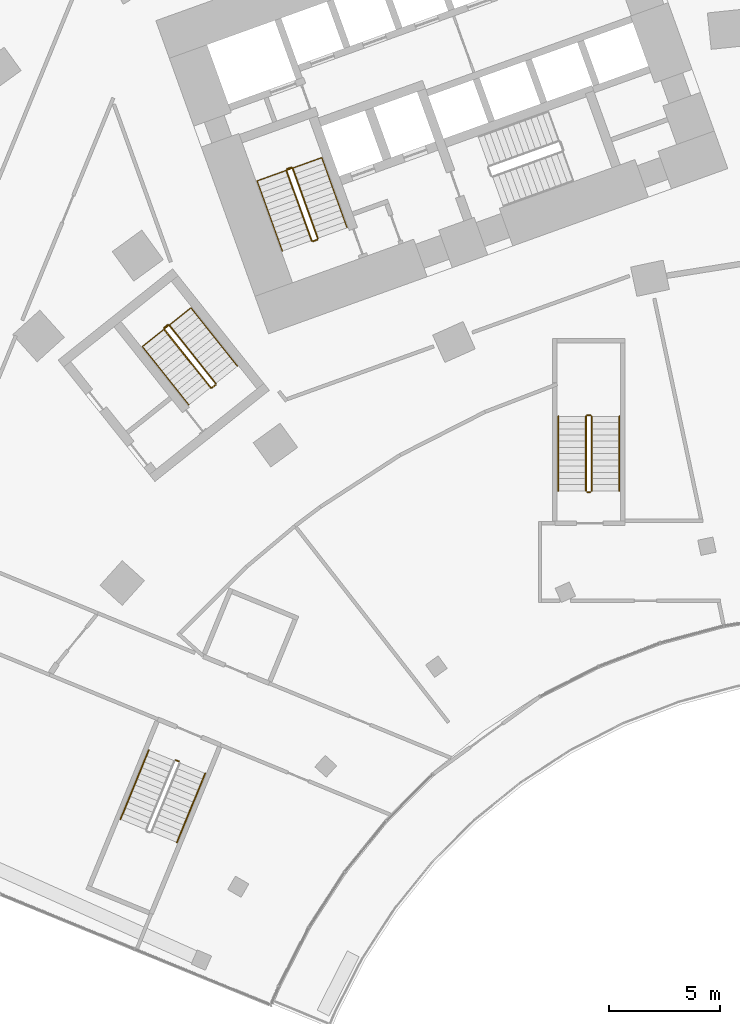
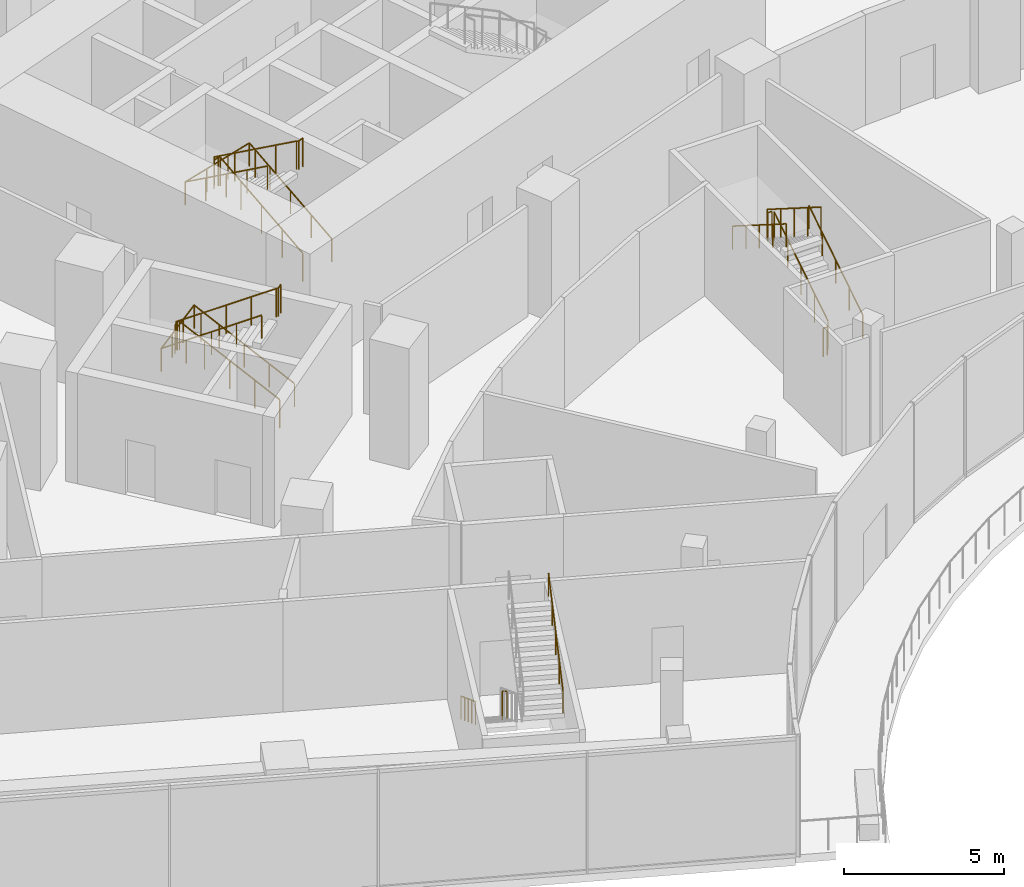
# One storey, part 33 of 39: 15 railings.
"""IFC4 building model written with IfcOpenShell, lengths in metres."""

from ifc_helpers import new_model, si_unit, direction, frame, origin, origin_2d, place, context, subcontext, project, spatial, circle, extrude, material, type_object, element, save


model = new_model("IFC4")

# Units and contexts
model_context = context("Model", 3, precision=1e-05, world=origin(), true_north=direction((0.0, 1.0)))
body_context = subcontext(model_context, "Body", "Model", "MODEL_VIEW")
ifc_project = project(units=[si_unit("LENGTHUNIT", "METRE"), si_unit("AREAUNIT", "SQUARE_METRE"), si_unit("VOLUMEUNIT", "CUBIC_METRE"), si_unit("PLANEANGLEUNIT", "RADIAN"), si_unit("MASSUNIT", "GRAM", prefix="KILO")], contexts=[model_context])

# Site, building, storey
site_placement = place(None, origin())
site = spatial("IfcSite", under=ifc_project, at=site_placement, CompositionType="ELEMENT")
building_placement = place(site_placement, origin())
building = spatial("IfcBuilding", under=site, at=building_placement, Name="Stone Belt Terrace Tower", CompositionType="ELEMENT")
storey_placement = place(building_placement, frame((0.0, 0.0, 20.800048828125)))
storey = spatial("IfcBuildingStorey", under=building, at=storey_placement, Name="L04", CompositionType="ELEMENT", Elevation=20.800048828125)

# Railings
ifc_material_1 = material(Name="Steel balustrade", Category="steel")
railing_type_1 = type_object("IfcRailingType", Name="Podium stair guard", PredefinedType="GUARDRAIL", material=ifc_material_1)
railing_1_placement = place(storey_placement, frame((-30.611572265625, 21.75439453125, 0.0)))
element("IfcRailing", 1, at=railing_1_placement, inside=storey, type_object=railing_type_1, Name="L04 PS1 stair guard 4", PredefinedType="GUARDRAIL", context=body_context, shape_type="SweptSolid", body=[
    extrude(circle(Radius=0.02392578125, at=origin_2d()), frame((0.0, 0.0, 1.076171875), z_axis=(0.925183283695, -0.379520607572, 0.0), x_axis=(0.379520607572, 0.925183283695, 0.0)), (0.0, 0.0, 1.0), 0.14990234375),
    extrude(circle(Radius=0.02099609375, at=origin_2d()), origin(), (0.0, 0.0, 1.0), 1.052001953125),
    extrude(circle(Radius=0.02099609375, at=origin_2d()), frame((0.138671875, -0.056884765625, 0.0)), (0.0, 0.0, 1.0), 1.052001953125),
])
railing_2_placement = place(storey_placement, frame((-11.875, 33.889892578125, 0.1767578125)))
element("IfcRailing", 2, at=railing_2_placement, inside=storey, type_object=railing_type_1, Name="L04 PS5 stair guard 1", PredefinedType="GUARDRAIL", context=body_context, shape_type="SweptSolid", body=[
    extrude(circle(Radius=0.02392578125, at=origin_2d()), frame((0.0, 0.0, 1.076171875), z_axis=(0.0, 0.845361898145, 0.534194029511), x_axis=(-1.0, 0.0, 0.0)), (0.0, 0.0, 1.0), 3.974853515625),
    extrude(circle(Radius=0.02099609375, at=origin_2d()), origin(), (0.0, 0.0, 1.0), 1.052001953125),
    extrude(circle(Radius=0.02099609375, at=origin_2d()), frame((0.0, 0.840087890625, 0.53076171875)), (0.0, 0.0, 1.0), 1.052001953125),
    extrude(circle(Radius=0.02099609375, at=origin_2d()), frame((0.0, 1.68017578125, 1.0615234375)), (0.0, 0.0, 1.0), 1.052001953125),
    extrude(circle(Radius=0.02099609375, at=origin_2d()), frame((0.0, 2.52001953125, 1.592529296875)), (0.0, 0.0, 1.0), 1.052001953125),
    extrude(circle(Radius=0.02099609375, at=origin_2d()), frame((0.0, 3.360107421875, 2.123291015625)), (0.0, 0.0, 1.0), 1.052001953125),
])
railing_3_placement = place(storey_placement, frame((-11.925048828125, 37.300048828125, 2.300048828125)))
element("IfcRailing", 3, at=railing_3_placement, inside=storey, type_object=railing_type_1, Name="L04 PS5 stair guard 2", PredefinedType="GUARDRAIL", context=body_context, shape_type="SweptSolid", body=[
    extrude(circle(Radius=0.02392578125, at=origin_2d()), frame((0.0, 0.0, 1.076171875), z_axis=(-1.0, 0.0, 0.0), x_axis=(0.0, -1.0, 0.0)), (0.0, 0.0, 1.0), 0.14990234375),
    extrude(circle(Radius=0.02099609375, at=origin_2d()), origin(), (0.0, 0.0, 1.0), 1.052001953125),
    extrude(circle(Radius=0.02099609375, at=origin_2d()), frame((-0.14990234375, 0.0, 0.0)), (0.0, 0.0, 1.0), 1.052001953125),
])
railing_4_placement = place(storey_placement, frame((-12.125, 37.25, 2.476806640625)))
element("IfcRailing", 4, at=railing_4_placement, inside=storey, type_object=railing_type_1, Name="L04 PS5 stair guard 3", PredefinedType="GUARDRAIL", context=body_context, shape_type="SweptSolid", body=[
    extrude(circle(Radius=0.02392578125, at=origin_2d()), frame((0.0, 0.0, 1.076171875), z_axis=(0.0, -0.845389635667, 0.534150132366), x_axis=(1.0, 0.0, 0.0)), (0.0, 0.0, 1.0), 3.974609375),
    extrude(circle(Radius=0.02099609375, at=origin_2d()), origin(), (0.0, 0.0, 1.0), 1.052001953125),
    extrude(circle(Radius=0.02099609375, at=origin_2d()), frame((0.0, -0.840087890625, 0.53076171875)), (0.0, 0.0, 1.0), 1.052001953125),
    extrude(circle(Radius=0.02099609375, at=origin_2d()), frame((0.0, -1.68017578125, 1.0615234375)), (0.0, 0.0, 1.0), 1.052001953125),
    extrude(circle(Radius=0.02099609375, at=origin_2d()), frame((0.0, -2.52001953125, 1.59228515625)), (0.0, 0.0, 1.0), 1.052001953125),
    extrude(circle(Radius=0.02099609375, at=origin_2d()), frame((0.0, -3.360107421875, 2.123046875)), (0.0, 0.0, 1.0), 1.052001953125),
])
railing_5_placement = place(storey_placement, frame((-11.925048828125, 33.840087890625, 0.0)))
element("IfcRailing", 5, at=railing_5_placement, inside=storey, type_object=railing_type_1, Name="L04 PS5 stair guard 4", PredefinedType="GUARDRAIL", context=body_context, shape_type="SweptSolid", body=[
    extrude(circle(Radius=0.02392578125, at=origin_2d()), frame((0.0, 0.0, 1.076171875), z_axis=(-1.0, 0.0, 0.0), x_axis=(0.0, -1.0, 0.0)), (0.0, 0.0, 1.0), 0.14990234375),
    extrude(circle(Radius=0.02099609375, at=origin_2d()), origin(), (0.0, 0.0, 1.0), 1.052001953125),
    extrude(circle(Radius=0.02099609375, at=origin_2d()), frame((-0.14990234375, 0.0, 0.0)), (0.0, 0.0, 1.0), 1.052001953125),
])
ifc_material_2 = material(Name="Stainless steel handrail", Category="steel")
railing_type_2 = type_object("IfcRailingType", Name="Podium stair handrail", PredefinedType="HANDRAIL", material=ifc_material_2)
railing_6_placement = place(storey_placement, frame((-31.83349609375, 22.201171875, 0.1767578125)))
element("IfcRailing", 6, at=railing_6_placement, inside=storey, type_object=railing_type_2, Name="L04 PS1 stair handrail 1", PredefinedType="HANDRAIL", context=body_context, shape_type="SweptSolid", body=[
    extrude(circle(Radius=0.02392578125, at=origin_2d()), frame((0.0, 0.0, 0.8759765625), z_axis=(-0.320566755084, -0.782222193141, 0.534196027777), x_axis=(0.92531182595, -0.379207100089, 0.0)), (0.0, 0.0, 1.0), 3.974853515625),
    extrude(circle(Radius=0.02099609375, at=origin_2d()), origin(), (0.0, 0.0, 1.0), 0.851806640625),
    extrude(circle(Radius=0.02099609375, at=origin_2d()), frame((-0.318603515625, -0.77734375, 0.53076171875)), (0.0, 0.0, 1.0), 0.851806640625),
    extrude(circle(Radius=0.02099609375, at=origin_2d()), frame((-0.63720703125, -1.5546875, 1.0615234375)), (0.0, 0.0, 1.0), 0.851806640625),
    extrude(circle(Radius=0.02099609375, at=origin_2d()), frame((-0.95556640625, -2.331787109375, 1.592529296875)), (0.0, 0.0, 1.0), 0.851806640625),
    extrude(circle(Radius=0.02099609375, at=origin_2d()), frame((-1.274169921875, -3.109130859375, 2.123291015625)), (0.0, 0.0, 1.0), 0.851806640625),
])
railing_7_placement = place(storey_placement, frame((-30.563232421875, 18.049072265625, 2.476806640625)))
element("IfcRailing", 7, at=railing_7_placement, inside=storey, type_object=railing_type_2, Name="L04 PS1 stair handrail 2", PredefinedType="HANDRAIL", context=body_context, shape_type="SweptSolid", body=[
    extrude(circle(Radius=0.02392578125, at=origin_2d()), frame((0.0, 0.0, 0.8759765625), z_axis=(0.320632384185, 0.78223245452, 0.534141611661), x_axis=(-0.925286329636, 0.379269308261, 0.0)), (0.0, 0.0, 1.0), 3.974609375),
    extrude(circle(Radius=0.02099609375, at=origin_2d()), origin(), (0.0, 0.0, 1.0), 0.851806640625),
    extrude(circle(Radius=0.02099609375, at=origin_2d()), frame((0.318603515625, 0.77734375, 0.53076171875)), (0.0, 0.0, 1.0), 0.851806640625),
    extrude(circle(Radius=0.02099609375, at=origin_2d()), frame((0.63720703125, 1.5546875, 1.0615234375)), (0.0, 0.0, 1.0), 0.851806640625),
    extrude(circle(Radius=0.02099609375, at=origin_2d()), frame((0.955810546875, 2.331787109375, 1.59228515625)), (0.0, 0.0, 1.0), 0.851806640625),
    extrude(circle(Radius=0.02099609375, at=origin_2d()), frame((1.2744140625, 3.109130859375, 2.123046875)), (0.0, 0.0, 1.0), 0.851806640625),
])
railing_8_placement = place(storey_placement, frame((-10.625, 33.889892578125, 0.1767578125)))
element("IfcRailing", 8, at=railing_8_placement, inside=storey, type_object=railing_type_2, Name="L04 PS5 stair handrail 1", PredefinedType="HANDRAIL", context=body_context, shape_type="SweptSolid", body=[
    extrude(circle(Radius=0.02392578125, at=origin_2d()), frame((0.0, 0.0, 0.8759765625), z_axis=(0.0, 0.845361898145, 0.534194029511), x_axis=(-1.0, 0.0, 0.0)), (0.0, 0.0, 1.0), 3.974853515625),
    extrude(circle(Radius=0.02099609375, at=origin_2d()), origin(), (0.0, 0.0, 1.0), 0.851806640625),
    extrude(circle(Radius=0.02099609375, at=origin_2d()), frame((0.0, 0.840087890625, 0.53076171875)), (0.0, 0.0, 1.0), 0.851806640625),
    extrude(circle(Radius=0.02099609375, at=origin_2d()), frame((0.0, 1.68017578125, 1.0615234375)), (0.0, 0.0, 1.0), 0.851806640625),
    extrude(circle(Radius=0.02099609375, at=origin_2d()), frame((0.0, 2.52001953125, 1.592529296875)), (0.0, 0.0, 1.0), 0.851806640625),
    extrude(circle(Radius=0.02099609375, at=origin_2d()), frame((0.0, 3.360107421875, 2.123291015625)), (0.0, 0.0, 1.0), 0.851806640625),
])
railing_9_placement = place(storey_placement, frame((-13.375, 37.25, 2.476806640625)))
element("IfcRailing", 9, at=railing_9_placement, inside=storey, type_object=railing_type_2, Name="L04 PS5 stair handrail 2", PredefinedType="HANDRAIL", context=body_context, shape_type="SweptSolid", body=[
    extrude(circle(Radius=0.02392578125, at=origin_2d()), frame((0.0, 0.0, 0.8759765625), z_axis=(0.0, -0.845389635667, 0.534150132366), x_axis=(1.0, 0.0, 0.0)), (0.0, 0.0, 1.0), 3.974609375),
    extrude(circle(Radius=0.02099609375, at=origin_2d()), origin(), (0.0, 0.0, 1.0), 0.851806640625),
    extrude(circle(Radius=0.02099609375, at=origin_2d()), frame((0.0, -0.840087890625, 0.53076171875)), (0.0, 0.0, 1.0), 0.851806640625),
    extrude(circle(Radius=0.02099609375, at=origin_2d()), frame((0.0, -1.68017578125, 1.0615234375)), (0.0, 0.0, 1.0), 0.851806640625),
    extrude(circle(Radius=0.02099609375, at=origin_2d()), frame((0.0, -2.52001953125, 1.59228515625)), (0.0, 0.0, 1.0), 0.851806640625),
    extrude(circle(Radius=0.02099609375, at=origin_2d()), frame((0.0, -3.360107421875, 2.123046875)), (0.0, 0.0, 1.0), 0.851806640625),
])
ifc_material_3 = material(Name="Structural steel C345", Category="steel")
railing_type_3 = type_object("IfcRailingType", Name="Stair guard 1100", PredefinedType="GUARDRAIL", material=ifc_material_3)
railing_10_placement = place(storey_placement, frame((-24.2119140625, 45.276123046875, 0.1767578125)))
element("IfcRailing", 10, at=railing_10_placement, inside=storey, type_object=railing_type_3, Name="L04 ST1A stair guard 1", PredefinedType="GUARDRAIL", context=body_context, shape_type="SweptSolid", body=[
    extrude(circle(Radius=0.02392578125, at=origin_2d()), frame((0.0, 0.0, 1.076171875), z_axis=(-0.286301708457, 0.795391723409, 0.53421282095), x_axis=(-0.940902231577, -0.338678299589, 0.0)), (0.0, 0.0, 1.0), 3.974609375),
    extrude(circle(Radius=0.02392578125, at=origin_2d()), frame((-1.137939453125, 3.161376953125, 3.19921875), z_axis=(-0.903878284585, 0.427789722475, 0.0), x_axis=(-0.427789722475, -0.903878284585, 0.0)), (0.0, 0.0, 1.0), 0.07080078125),
    extrude(circle(Radius=0.02392578125, at=origin_2d()), frame((-1.201904296875, 3.191650390625, 3.19921875), z_axis=(-0.940575576748, -0.339584429008, 0.0), x_axis=(0.339584429008, -0.940575576748, 0.0)), (0.0, 0.0, 1.0), 0.199951171875),
    extrude(circle(Radius=0.02099609375, at=origin_2d()), origin(), (0.0, 0.0, 1.0), 1.052001953125),
    extrude(circle(Radius=0.02099609375, at=origin_2d()), frame((-0.284423828125, 0.790283203125, 0.53076171875)), (0.0, 0.0, 1.0), 1.052001953125),
    extrude(circle(Radius=0.02099609375, at=origin_2d()), frame((-0.56884765625, 1.58056640625, 1.0615234375)), (0.0, 0.0, 1.0), 1.052001953125),
    extrude(circle(Radius=0.02099609375, at=origin_2d()), frame((-0.853515625, 2.37109375, 1.592529296875)), (0.0, 0.0, 1.0), 1.052001953125),
    extrude(circle(Radius=0.02099609375, at=origin_2d()), frame((-1.137939453125, 3.161376953125, 2.123291015625)), (0.0, 0.0, 1.0), 1.052001953125),
    extrude(circle(Radius=0.02099609375, at=origin_2d()), frame((-1.201904296875, 3.191650390625, 2.123291015625)), (0.0, 0.0, 1.0), 1.052001953125),
    extrude(circle(Radius=0.02099609375, at=origin_2d()), frame((-1.389892578125, 3.123779296875, 2.123291015625)), (0.0, 0.0, 1.0), 1.052001953125),
])
railing_11_placement = place(storey_placement, frame((-25.632080078125, 48.3359375, 2.476806640625)))
element("IfcRailing", 11, at=railing_11_placement, inside=storey, type_object=railing_type_3, Name="L04 ST1A stair guard 2", PredefinedType="GUARDRAIL", context=body_context, shape_type="SweptSolid", body=[
    extrude(circle(Radius=0.02392578125, at=origin_2d()), frame((0.0, 0.0, 1.076171875), z_axis=(0.286311103083, -0.795417823175, 0.534168923494), x_axis=(0.940902231577, 0.338678299589, 0.0)), (0.0, 0.0, 1.0), 3.974365234375),
    extrude(circle(Radius=0.02392578125, at=origin_2d()), frame((1.137939453125, -3.161376953125, 3.19921875), z_axis=(0.903878284585, -0.427789722475, 0.0), x_axis=(0.427789722475, 0.903878284585, 0.0)), (0.0, 0.0, 1.0), 0.07080078125),
    extrude(circle(Radius=0.02392578125, at=origin_2d()), frame((1.201904296875, -3.191650390625, 3.19921875), z_axis=(0.940575576748, 0.339584429008, 0.0), x_axis=(-0.339584429008, 0.940575576748, 0.0)), (0.0, 0.0, 1.0), 0.199951171875),
    extrude(circle(Radius=0.02099609375, at=origin_2d()), origin(), (0.0, 0.0, 1.0), 1.052001953125),
    extrude(circle(Radius=0.02099609375, at=origin_2d()), frame((0.284423828125, -0.790283203125, 0.53076171875)), (0.0, 0.0, 1.0), 1.052001953125),
    extrude(circle(Radius=0.02099609375, at=origin_2d()), frame((0.56884765625, -1.58056640625, 1.0615234375)), (0.0, 0.0, 1.0), 1.052001953125),
    extrude(circle(Radius=0.02099609375, at=origin_2d()), frame((0.853515625, -2.37109375, 1.59228515625)), (0.0, 0.0, 1.0), 1.052001953125),
    extrude(circle(Radius=0.02099609375, at=origin_2d()), frame((1.137939453125, -3.161376953125, 2.123046875)), (0.0, 0.0, 1.0), 1.052001953125),
    extrude(circle(Radius=0.02099609375, at=origin_2d()), frame((1.201904296875, -3.191650390625, 2.123046875)), (0.0, 0.0, 1.0), 1.052001953125),
    extrude(circle(Radius=0.02099609375, at=origin_2d()), frame((1.389892578125, -3.123779296875, 2.123046875)), (0.0, 0.0, 1.0), 1.052001953125),
])
railing_12_placement = place(storey_placement, frame((-28.814208984375, 38.734619140625, 0.1767578125)))
element("IfcRailing", 12, at=railing_12_placement, inside=storey, type_object=railing_type_3, Name="L04 ST3A stair guard 1", PredefinedType="GUARDRAIL", context=body_context, shape_type="SweptSolid", body=[
    extrude(circle(Radius=0.02392578125, at=origin_2d()), frame((0.0, 0.0, 1.076171875), z_axis=(-0.526770513761, 0.661165789427, 0.534202793631), x_axis=(-0.782114881682, -0.623134264707, 0.0)), (0.0, 0.0, 1.0), 3.974609375),
    extrude(circle(Radius=0.02392578125, at=origin_2d()), frame((-2.09375, 2.6279296875, 3.19921875), z_axis=(-0.993883734674, 0.110431526075, 0.0), x_axis=(-0.110431526075, -0.993883734674, 0.0)), (0.0, 0.0, 1.0), 0.07080078125),
    extrude(circle(Radius=0.02392578125, at=origin_2d()), frame((-2.1640625, 2.6357421875, 3.19921875), z_axis=(-0.782059551443, -0.623203705056, 0.0), x_axis=(0.623203705056, -0.782059551443, 0.0)), (0.0, 0.0, 1.0), 0.19970703125),
    extrude(circle(Radius=0.02099609375, at=origin_2d()), origin(), (0.0, 0.0, 1.0), 1.052001953125),
    extrude(circle(Radius=0.02099609375, at=origin_2d()), frame((-0.5234375, 0.656982421875, 0.53076171875)), (0.0, 0.0, 1.0), 1.052001953125),
    extrude(circle(Radius=0.02099609375, at=origin_2d()), frame((-1.046875, 1.31396484375, 1.0615234375)), (0.0, 0.0, 1.0), 1.052001953125),
    extrude(circle(Radius=0.02099609375, at=origin_2d()), frame((-1.5703125, 1.970947265625, 1.592529296875)), (0.0, 0.0, 1.0), 1.052001953125),
    extrude(circle(Radius=0.02099609375, at=origin_2d()), frame((-2.09375, 2.6279296875, 2.123291015625)), (0.0, 0.0, 1.0), 1.052001953125),
    extrude(circle(Radius=0.02099609375, at=origin_2d()), frame((-2.1640625, 2.6357421875, 2.123291015625)), (0.0, 0.0, 1.0), 1.052001953125),
    extrude(circle(Radius=0.02099609375, at=origin_2d()), frame((-2.3203125, 2.51123046875, 2.123291015625)), (0.0, 0.0, 1.0), 1.052001953125),
])
railing_13_placement = place(storey_placement, frame((-31.142578125, 41.175537109375, 2.476806640625)))
element("IfcRailing", 13, at=railing_13_placement, inside=storey, type_object=railing_type_3, Name="L04 ST3A stair guard 2", PredefinedType="GUARDRAIL", context=body_context, shape_type="SweptSolid", body=[
    extrude(circle(Radius=0.02392578125, at=origin_2d()), frame((0.0, 0.0, 1.076171875), z_axis=(0.526787798416, -0.661187483926, 0.534158896341), x_axis=(0.782114881682, 0.623134264707, 0.0)), (0.0, 0.0, 1.0), 3.974609375),
    extrude(circle(Radius=0.02392578125, at=origin_2d()), frame((2.09375, -2.6279296875, 3.19921875), z_axis=(0.993499272973, -0.113838458361, 0.0), x_axis=(0.113838458361, 0.993499272973, 0.0)), (0.0, 0.0, 1.0), 0.07080078125),
    extrude(circle(Radius=0.02392578125, at=origin_2d()), frame((2.1640625, -2.635986328125, 3.19921875), z_axis=(0.781464082609, 0.623950228458, 0.0), x_axis=(-0.623950228458, 0.781464082609, 0.0)), (0.0, 0.0, 1.0), 0.199951171875),
    extrude(circle(Radius=0.02099609375, at=origin_2d()), origin(), (0.0, 0.0, 1.0), 1.052001953125),
    extrude(circle(Radius=0.02099609375, at=origin_2d()), frame((0.5234375, -0.656982421875, 0.53076171875)), (0.0, 0.0, 1.0), 1.052001953125),
    extrude(circle(Radius=0.02099609375, at=origin_2d()), frame((1.046875, -1.31396484375, 1.0615234375)), (0.0, 0.0, 1.0), 1.052001953125),
    extrude(circle(Radius=0.02099609375, at=origin_2d()), frame((1.5703125, -1.970947265625, 1.59228515625)), (0.0, 0.0, 1.0), 1.052001953125),
    extrude(circle(Radius=0.02099609375, at=origin_2d()), frame((2.09375, -2.6279296875, 2.123046875)), (0.0, 0.0, 1.0), 1.052001953125),
    extrude(circle(Radius=0.02099609375, at=origin_2d()), frame((2.1640625, -2.635986328125, 2.123046875)), (0.0, 0.0, 1.0), 1.052001953125),
    extrude(circle(Radius=0.02099609375, at=origin_2d()), frame((2.3203125, -2.51123046875, 2.123046875)), (0.0, 0.0, 1.0), 1.052001953125),
])
railing_type_4 = type_object("IfcRailingType", Name="Stair handrail 900", PredefinedType="HANDRAIL", material=ifc_material_3)
railing_14_placement = place(storey_placement, frame((-22.894775390625, 45.750244140625, 0.1767578125)))
element("IfcRailing", 14, at=railing_14_placement, inside=storey, type_object=railing_type_4, Name="L04 ST1A stair handrail 1", PredefinedType="HANDRAIL", context=body_context, shape_type="SweptSolid", body=[
    extrude(circle(Radius=0.02392578125, at=origin_2d()), frame((0.0, 0.0, 0.8759765625), z_axis=(-0.286245316937, 0.795405710091, 0.534222214894), x_axis=(-0.9409253847, -0.338613969627, 0.0)), (0.0, 0.0, 1.0), 3.974609375),
    extrude(circle(Radius=0.02392578125, at=origin_2d()), frame((-1.1376953125, 3.161376953125, 2.9990234375), z_axis=(-0.939384633507, -0.338106129077, 0.056927636617), x_axis=(0.338655323994, -0.940910501339, 0.0)), (0.0, 0.0, 1.0), 3.10498046875),
    extrude(circle(Radius=0.02392578125, at=origin_2d()), frame((-4.054443359375, 2.111572265625, 3.17578125), z_axis=(0.286254710043, -0.795431811234, 0.534178317283), x_axis=(0.9409253847, 0.338613969627, 0.0)), (0.0, 0.0, 1.0), 3.974365234375),
    extrude(circle(Radius=0.02099609375, at=origin_2d()), origin(), (0.0, 0.0, 1.0), 0.851806640625),
    extrude(circle(Radius=0.02099609375, at=origin_2d()), frame((-0.284423828125, 0.790283203125, 0.53076171875)), (0.0, 0.0, 1.0), 0.851806640625),
    extrude(circle(Radius=0.02099609375, at=origin_2d()), frame((-0.56884765625, 1.58056640625, 1.0615234375)), (0.0, 0.0, 1.0), 0.851806640625),
    extrude(circle(Radius=0.02099609375, at=origin_2d()), frame((-0.853271484375, 2.37109375, 1.592529296875)), (0.0, 0.0, 1.0), 0.851806640625),
    extrude(circle(Radius=0.02099609375, at=origin_2d()), frame((-1.1376953125, 3.161376953125, 2.123291015625)), (0.0, 0.0, 1.0), 0.851806640625),
    extrude(circle(Radius=0.02099609375, at=origin_2d()), frame((-2.10986328125, 2.8115234375, 2.18212890625)), (0.0, 0.0, 1.0), 0.851806640625),
    extrude(circle(Radius=0.02099609375, at=origin_2d()), frame((-3.082275390625, 2.46142578125, 2.2412109375)), (0.0, 0.0, 1.0), 0.851806640625),
    extrude(circle(Radius=0.02099609375, at=origin_2d()), frame((-4.054443359375, 2.111572265625, 2.300048828125)), (0.0, 0.0, 1.0), 0.851806640625),
    extrude(circle(Radius=0.02099609375, at=origin_2d()), frame((-3.77001953125, 1.3212890625, 2.830810546875)), (0.0, 0.0, 1.0), 0.851806640625),
    extrude(circle(Radius=0.02099609375, at=origin_2d()), frame((-3.485595703125, 0.53076171875, 3.361572265625)), (0.0, 0.0, 1.0), 0.851806640625),
    extrude(circle(Radius=0.02099609375, at=origin_2d()), frame((-3.201171875, -0.259521484375, 3.892333984375)), (0.0, 0.0, 1.0), 0.851806640625),
    extrude(circle(Radius=0.02099609375, at=origin_2d()), frame((-2.916748046875, -1.0498046875, 4.423095703125)), (0.0, 0.0, 1.0), 0.851806640625),
])
railing_15_placement = place(storey_placement, frame((-27.836669921875, 39.513427734375, 0.1767578125)))
element("IfcRailing", 15, at=railing_15_placement, inside=storey, type_object=railing_type_4, Name="L04 ST3A stair handrail 1", PredefinedType="HANDRAIL", context=body_context, shape_type="SweptSolid", body=[
    extrude(circle(Radius=0.02392578125, at=origin_2d()), frame((0.0, 0.0, 0.8759765625), z_axis=(-0.526726132123, 0.661187182061, 0.53422007826), x_axis=(-0.782150293907, -0.623089815148, 0.0)), (0.0, 0.0, 1.0), 3.974609375),
    extrude(circle(Radius=0.02392578125, at=origin_2d()), frame((-2.093505859375, 2.6279296875, 2.9990234375), z_axis=(-0.780589303239, -0.621860776025, 0.06300408646), x_axis=(0.623098705543, -0.782143211408, 0.0)), (0.0, 0.0, 1.0), 2.805419921875),
    extrude(circle(Radius=0.02392578125, at=origin_2d()), frame((-4.283447265625, 0.88330078125, 3.17578125), z_axis=(0.52674341644, -0.661208878666, 0.534176180684), x_axis=(0.782150293907, 0.623089815148, 0.0)), (0.0, 0.0, 1.0), 3.974365234375),
    extrude(circle(Radius=0.02099609375, at=origin_2d()), origin(), (0.0, 0.0, 1.0), 0.851806640625),
    extrude(circle(Radius=0.02099609375, at=origin_2d()), frame((-0.5234375, 0.656982421875, 0.53076171875)), (0.0, 0.0, 1.0), 0.851806640625),
    extrude(circle(Radius=0.02099609375, at=origin_2d()), frame((-1.046875, 1.31396484375, 1.0615234375)), (0.0, 0.0, 1.0), 0.851806640625),
    extrude(circle(Radius=0.02099609375, at=origin_2d()), frame((-1.570068359375, 1.970947265625, 1.592529296875)), (0.0, 0.0, 1.0), 0.851806640625),
    extrude(circle(Radius=0.02099609375, at=origin_2d()), frame((-2.093505859375, 2.6279296875, 2.123291015625)), (0.0, 0.0, 1.0), 0.851806640625),
    extrude(circle(Radius=0.02099609375, at=origin_2d()), frame((-2.823486328125, 2.04638671875, 2.18212890625)), (0.0, 0.0, 1.0), 0.851806640625),
    extrude(circle(Radius=0.02099609375, at=origin_2d()), frame((-3.553466796875, 1.46484375, 2.2412109375)), (0.0, 0.0, 1.0), 0.851806640625),
    extrude(circle(Radius=0.02099609375, at=origin_2d()), frame((-4.283447265625, 0.88330078125, 2.300048828125)), (0.0, 0.0, 1.0), 0.851806640625),
    extrude(circle(Radius=0.02099609375, at=origin_2d()), frame((-3.760009765625, 0.226318359375, 2.830810546875)), (0.0, 0.0, 1.0), 0.851806640625),
    extrude(circle(Radius=0.02099609375, at=origin_2d()), frame((-3.23681640625, -0.4306640625, 3.361572265625)), (0.0, 0.0, 1.0), 0.851806640625),
    extrude(circle(Radius=0.02099609375, at=origin_2d()), frame((-2.71337890625, -1.087646484375, 3.892333984375)), (0.0, 0.0, 1.0), 0.851806640625),
    extrude(circle(Radius=0.02099609375, at=origin_2d()), frame((-2.18994140625, -1.74462890625, 4.423095703125)), (0.0, 0.0, 1.0), 0.851806640625),
])

save(model, "model.ifc")
